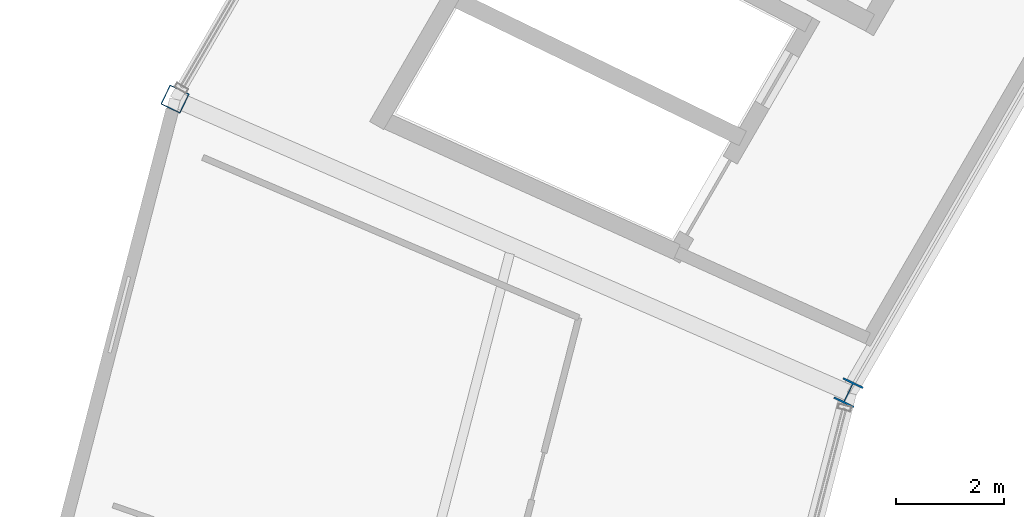
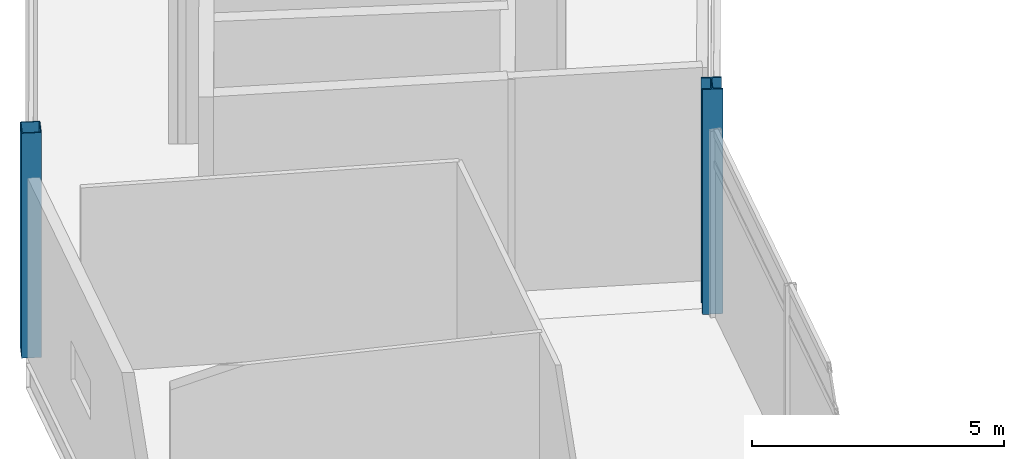
# One storey, part 5 of 86: 2 columns.
"""IFC4 building model written with IfcOpenShell, lengths in metres."""

import ifcopenshell
import ifcopenshell.guid

model = None  # the IFC model being written
_history = None  # IfcOwnerHistory: only IFC2X3 demands one
_inside = {}  # id of a spatial element -> (the spatial element, [elements in it])
_under = {}  # id of a project, library or spatial element -> (it, [spatial elements below it])
_declared = {}  # id of a project -> (the project, [libraries it declares])
_typed = {}  # id of a type object -> (the type object, [elements of that type])
_made_of = {}  # id of a material, layer set ... -> (it, [elements and type objects made of it])


def new_model(schema):
    """Start an empty IFC model of exactly this schema.

    Asked for "IFC4X3", IfcOpenShell would pick the latest addendum, in which some entities
    have other attributes; the version numbers below select the first issue.
    IFC2X3 requires an IfcOwnerHistory on every rooted entity: one is made here for all.
    """
    global model, _history
    if schema == "IFC4X3":
        model = ifcopenshell.file(schema_version=(4, 3, 0, 0))
    else:
        model = ifcopenshell.file(schema=schema)
    _inside.clear()
    _under.clear()
    _declared.clear()
    _typed.clear()
    _made_of.clear()
    _history = None
    if model.schema == "IFC2X3":
        org = make("IfcOrganization", Name="unknown")
        user = make(
            "IfcPersonAndOrganization",
            ThePerson=make("IfcPerson", FamilyName="unknown"),
            TheOrganization=org,
        )
        app = make(
            "IfcApplication",
            ApplicationDeveloper=org,
            Version="unknown",
            ApplicationFullName="unknown",
            ApplicationIdentifier="unknown",
        )
        _history = make(
            "IfcOwnerHistory",
            OwningUser=user,
            OwningApplication=app,
            ChangeAction="ADDED",
            CreationDate=0,
        )
    return model


def make(cls, **values):
    """One entity of the class cls with the attributes given. An attribute that is None is left unset."""
    return model.create_entity(
        cls, **{name: value for name, value in values.items() if value is not None}
    )


def rooted(cls, **values):
    """An entity with a GlobalId (a new one), such as an element, a storey or a relation."""
    return make(cls, GlobalId=ifcopenshell.guid.new(), OwnerHistory=_history, **values)


def si_unit(unit_type, name, prefix=None):
    """IfcSIUnit, for example si_unit("LENGTHUNIT", "METRE", prefix="MILLI")."""
    return make("IfcSIUnit", UnitType=unit_type, Prefix=prefix, Name=name)


def assignment(units):
    """IfcUnitAssignment: the units of a project."""
    return None if units is None else make("IfcUnitAssignment", Units=units)


def point(xyz):
    """IfcCartesianPoint."""
    return None if xyz is None else make("IfcCartesianPoint", Coordinates=xyz)


def direction(xyz):
    """IfcDirection."""
    return None if xyz is None else make("IfcDirection", DirectionRatios=xyz)


def frame(location, z_axis=None, x_axis=None):
    """IfcAxis2Placement3D, a coordinate frame: its origin and axes. An axis left out is left unset."""
    return make(
        "IfcAxis2Placement3D",
        Location=point(location),
        Axis=direction(z_axis),
        RefDirection=direction(x_axis),
    )


def frame_2d(location, x_axis=None):
    """IfcAxis2Placement2D, a coordinate frame in the plane: its origin and x axis."""
    return make(
        "IfcAxis2Placement2D", Location=point(location), RefDirection=direction(x_axis)
    )


def origin():
    """The frame at (0, 0, 0) with its axes left unset."""
    return frame((0.0, 0.0, 0.0))


def origin_2d():
    """The frame at (0, 0) in the plane with its x axis left unset."""
    return frame_2d((0.0, 0.0))


def place(relative_to, where):
    """IfcLocalPlacement: puts the frame where relative to a parent placement (None: the world)."""
    return make(
        "IfcLocalPlacement", PlacementRelTo=relative_to, RelativePlacement=where
    )


def context(
    kind, dimensions, precision=None, world=None, true_north=None, identifier=None
):
    """IfcGeometricRepresentationContext, for example the 3D "Model" context."""
    return make(
        "IfcGeometricRepresentationContext",
        ContextIdentifier=identifier,
        ContextType=kind,
        CoordinateSpaceDimension=dimensions,
        Precision=precision,
        WorldCoordinateSystem=world,
        TrueNorth=true_north,
    )


def subcontext(parent, identifier, kind, view, scale=None):
    """IfcGeometricRepresentationSubContext, for example "Body" below "Model"."""
    return make(
        "IfcGeometricRepresentationSubContext",
        ContextIdentifier=identifier,
        ContextType=kind,
        ParentContext=parent,
        TargetScale=scale,
        TargetView=view,
    )


def project(units=None, contexts=None):
    """IfcProject with its units and contexts."""
    return rooted(
        "IfcProject",
        Name="project",
        RepresentationContexts=contexts,
        UnitsInContext=assignment(units),
    )


def spatial(cls, under=None, at=None, **own):
    """A site, building, storey or space (cls), placed at a placement, below another one or the project."""
    s = rooted(cls, ObjectPlacement=at, **own)
    if under is not None:
        _under.setdefault(under.id(), (under, []))[1].append(s)
    return s


def profile(cls, at=None, kind="AREA", **sizes):
    """A parametric profile (cls). Its sizes go by their IFC names, for example OverallWidth=200.0."""
    return make(cls, ProfileType=kind, Position=at, **sizes)


def hollow_rectangle(**sizes):
    """IfcRectangleHollowProfileDef."""
    return profile("IfcRectangleHollowProfileDef", **sizes)


def i_section(**sizes):
    """IfcIShapeProfileDef."""
    return profile("IfcIShapeProfileDef", **sizes)


def extrude(swept, where, along, depth):
    """IfcExtrudedAreaSolid: the profile swept, set in the frame where, extruded along a direction by depth."""
    return make(
        "IfcExtrudedAreaSolid",
        SweptArea=swept,
        Position=where,
        ExtrudedDirection=direction(along),
        Depth=depth,
    )


def shape(context_of_items, identifier, shape_type, items):
    """IfcShapeRepresentation: the items that make up one representation, for example the "Body"."""
    return make(
        "IfcShapeRepresentation",
        ContextOfItems=context_of_items,
        RepresentationIdentifier=identifier,
        RepresentationType=shape_type,
        Items=items,
    )


def material(Name=None, Category=None):
    """IfcMaterial."""
    return make("IfcMaterial", Name=Name, Category=Category)


def material_profile(
    of_material, cross_section, Name=None, Category=None, Priority=None
):
    """IfcMaterialProfile: a cross section and its material."""
    return make(
        "IfcMaterialProfile",
        Name=Name,
        Material=of_material,
        Profile=cross_section,
        Priority=Priority,
        Category=Category,
    )


def profile_set(profiles, Name=None, composite=None):
    """IfcMaterialProfileSet."""
    return make(
        "IfcMaterialProfileSet",
        Name=Name,
        MaterialProfiles=profiles,
        CompositeProfile=composite,
    )


def made_of(thing, what):
    """Note that an element or type object is made of a material, layer set ...; save() writes the relation."""
    if what is not None:
        _made_of.setdefault(what.id(), (what, []))[1].append(thing)
    return thing


def type_object(cls, material=None, **own):
    """A type object (cls), such as IfcWallType, which elements share."""
    return made_of(rooted(cls, **own), material)


def element(
    cls,
    number,
    at=None,
    inside=None,
    cuts=None,
    type_object=None,
    material=None,
    context=None,
    identifier="Body",
    shape_type=None,
    held_by="IfcProductDefinitionShape",
    body=None,
    shapes=None,
    **own,
):
    """One element of the class cls, such as IfcWall. Its Tag is "e" and its number.

    at: its placement. inside: the storey or other place that contains it. cuts: it is an
    opening in that element (IfcRelVoidsElement). A single representation is given by context,
    identifier, shape_type and body (its items); several are given by shapes. held_by: the class
    of the entity that holds the representations. save() writes the other relations.
    """
    e = rooted(cls, Tag="e%d" % number, ObjectPlacement=at, **own)
    if body is not None:
        shapes = [shape(context, identifier, shape_type, body)]
    if shapes is not None:
        e.Representation = make(held_by, Representations=shapes)
    if inside is not None:
        _inside.setdefault(inside.id(), (inside, []))[1].append(e)
    if cuts is not None:
        rooted(
            "IfcRelVoidsElement", RelatingBuildingElement=cuts, RelatedOpeningElement=e
        )
    if type_object is not None:
        _typed.setdefault(type_object.id(), (type_object, []))[1].append(e)
    return made_of(e, material)


def aggregate(whole, parts):
    """IfcRelAggregates: a whole, such as a stair, and the parts it consists of."""
    return rooted("IfcRelAggregates", RelatingObject=whole, RelatedObjects=parts)


def save(model, path):
    """Write the relations noted so far, then the file.

    IfcRelAggregates (storeys below a building ...), IfcRelContainedInSpatialStructure (elements
    in a storey), IfcRelDefinesByType, IfcRelAssociatesMaterial and IfcRelDeclares: one each for
    every whole, place, type object, material and project.
    """
    for whole, parts in _under.values():
        aggregate(whole, parts)
    for where, things in _inside.values():
        rooted(
            "IfcRelContainedInSpatialStructure",
            RelatedElements=things,
            RelatingStructure=where,
        )
    for kind, things in _typed.values():
        rooted("IfcRelDefinesByType", RelatedObjects=things, RelatingType=kind)
    for what, things in _made_of.values():
        rooted("IfcRelAssociatesMaterial", RelatedObjects=things, RelatingMaterial=what)
    for by, libraries in _declared.values():
        rooted("IfcRelDeclares", RelatingContext=by, RelatedDefinitions=libraries)
    model.write(path)


model = new_model("IFC4")

# Units and contexts
model_context = context("Model", 3, precision=1e-05, world=origin(), true_north=direction((0.0, 1.0)))
body_context = subcontext(model_context, "Body", "Model", "MODEL_VIEW")
ifc_project = project(units=[si_unit("LENGTHUNIT", "METRE"), si_unit("AREAUNIT", "SQUARE_METRE"), si_unit("VOLUMEUNIT", "CUBIC_METRE"), si_unit("PLANEANGLEUNIT", "RADIAN"), si_unit("MASSUNIT", "GRAM", prefix="KILO")], contexts=[model_context])

# Site, building, storey
site_placement = place(None, origin())
site = spatial("IfcSite", under=ifc_project, at=site_placement, CompositionType="ELEMENT")
building_placement = place(site_placement, origin())
building = spatial("IfcBuilding", under=site, at=building_placement, Name="Kazemori Nagisa Stadium", CompositionType="ELEMENT")
storey_placement = place(building_placement, frame((0.0, 0.0, 31.280029296875)))
storey = spatial("IfcBuildingStorey", under=building, at=storey_placement, Name="L06", CompositionType="ELEMENT", Elevation=31.280029296875)

# Columns
ifc_material_1 = material(Name="Steel SN490B", Category="steel")
ifc_material_profile_1 = material_profile(ifc_material_1, i_section(OverallWidth=0.406982421875, OverallDepth=0.427978515625, WebThickness=0.02001953125, FlangeThickness=0.034912109375, FilletRadius=0.012939453125, at=origin_2d()), Name="H-428x407x20x35")
ifc_profile_set_1 = profile_set([ifc_material_profile_1], Name="Steel SN490B")
column_type_1 = type_object("IfcColumnType", Name="Column_C-H428", PredefinedType="COLUMN", material=ifc_profile_set_1)
column_1_placement = place(storey_placement, frame((46.55908203125, 135.32470703125, 0.0), z_axis=(0.0, 0.0, 1.0), x_axis=(-0.900968867905, 0.433883739113, 0.0)))
element("IfcColumn", 1, at=column_1_placement, inside=storey, type_object=column_type_1, Name="Column C-H428 L06 R2-13", PredefinedType="COLUMN", context=body_context, shape_type="SweptSolid", body=[
    extrude(i_section(OverallWidth=0.406982421875, OverallDepth=0.427978515625, WebThickness=0.02001953125, FlangeThickness=0.034912109375, FilletRadius=0.012939453125, at=origin_2d()), origin(), (0.0, 0.0, 1.0), 5.43994140625),
])
ifc_material_2 = material(Name="Steel STKR490", Category="steel")
ifc_material_profile_2 = material_profile(ifc_material_2, hollow_rectangle(XDim=0.39990234375, YDim=0.39990234375, WallThickness=0.01904296875, at=origin_2d()), Name="SHS-400x400x19")
ifc_profile_set_2 = profile_set([ifc_material_profile_2], Name="Steel STKR490")
column_type_2 = type_object("IfcColumnType", Name="Column_C-ST400", PredefinedType="COLUMN", material=ifc_profile_set_2)
column_2_placement = place(storey_placement, frame((34.114990234375, 140.74951171875, 0.0), z_axis=(0.0, 0.0, 1.0), x_axis=(-0.900968867905, 0.433883739113, 0.0)))
element("IfcColumn", 2, at=column_2_placement, inside=storey, type_object=column_type_2, Name="Column C-ST400 L06 R3-13", PredefinedType="COLUMN", context=body_context, shape_type="SweptSolid", body=[
    extrude(hollow_rectangle(XDim=0.39990234375, YDim=0.39990234375, WallThickness=0.01904296875, at=origin_2d()), origin(), (0.0, 0.0, 1.0), 5.43994140625),
])

save(model, "model.ifc")
